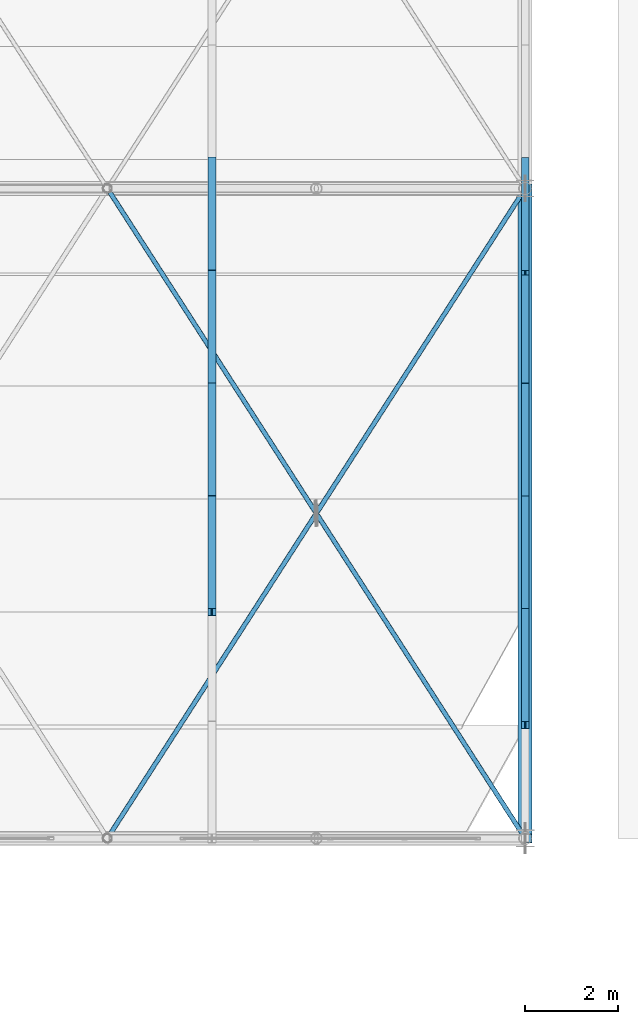
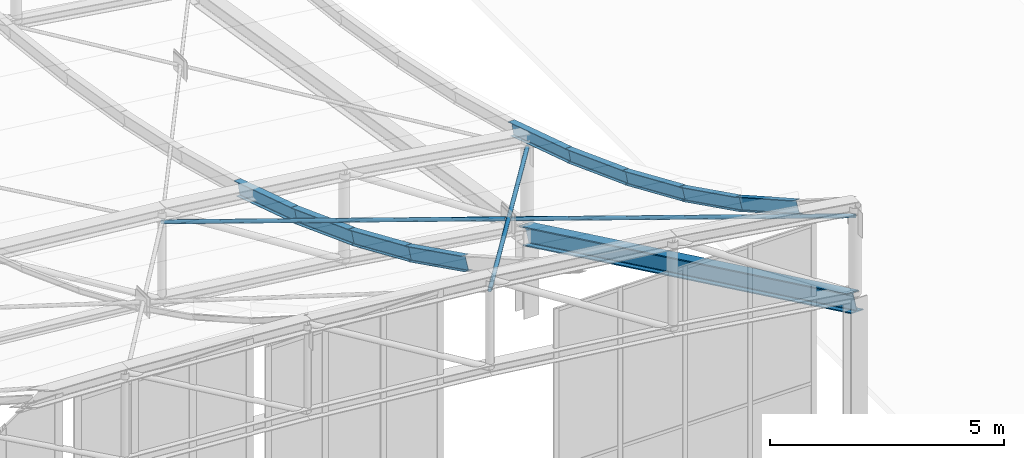
# One storey, part 153 of 262: 12 members, 1 beam.
"""IFC4 building model written with IfcOpenShell, lengths in metres."""

from ifc_helpers import new_model, si_unit, derived_unit, direction, frame, origin, origin_2d, place, context, subcontext, project, spatial, hollow_circle, i_section, extrude, material, material_profile, profile_set, type_object, element, save


model = new_model("IFC4")

# Units and contexts
model_context = context("Model", 3, precision=1e-05, world=origin(), true_north=direction((0.0, 1.0)))
body_context = subcontext(model_context, "Body", "Model", "MODEL_VIEW")
ifc_project = project(units=[si_unit("LENGTHUNIT", "METRE"), si_unit("AREAUNIT", "SQUARE_METRE"), si_unit("VOLUMEUNIT", "CUBIC_METRE"), si_unit("PLANEANGLEUNIT", "RADIAN"), si_unit("MASSUNIT", "GRAM", prefix="KILO"), derived_unit("THERMALTRANSMITTANCEUNIT", [(si_unit("POWERUNIT", "WATT"), 1), (si_unit("LENGTHUNIT", "METRE"), -2), (si_unit("THERMODYNAMICTEMPERATUREUNIT", "KELVIN"), -1)])], contexts=[model_context])

# Site, building, storey
site_placement = place(None, origin())
site = spatial("IfcSite", under=ifc_project, at=site_placement, CompositionType="ELEMENT")
building_placement = place(site_placement, origin())
building = spatial("IfcBuilding", under=site, at=building_placement, Name="Almenara Railside Exhibition Hall", CompositionType="ELEMENT")
storey_placement = place(building_placement, frame((0.0, 0.0, 21.699951171875)))
storey = spatial("IfcBuildingStorey", under=building, at=storey_placement, Name="RF", CompositionType="ELEMENT", Elevation=21.699951171875)

# Members
ifc_material = material(Name="Structural steel S355JR", Category="steel")
ifc_material_profile_1 = material_profile(ifc_material, i_section(OverallWidth=0.159912109375, OverallDepth=0.330078125, WebThickness=0.007568359375, FlangeThickness=0.011474609375, FilletRadius=0.01806640625, at=origin_2d()), Name="IPE 330")
ifc_profile_set_1 = profile_set([ifc_material_profile_1], Name="Structural steel S355JR")
member_type_1 = type_object("IfcMemberType", Name="Gable Bay Purlin IPE 330 S355JR", PredefinedType="PURLIN", material=ifc_profile_set_1)
member_1_placement = place(storey_placement, frame((192.0, 36.436767578125, 0.169189453125), z_axis=(0.0, 0.870483227181, -0.492198081261), x_axis=(-1.0, 0.0, 0.0)))
element("IfcMember", 1, at=member_1_placement, inside=storey, type_object=member_type_1, Name="MEM-PR-V2-PR-IPE330-08-01", PredefinedType="PURLIN", context=body_context, shape_type="SweptSolid", body=[
    extrude(i_section(OverallWidth=0.159912109375, OverallDepth=0.330078125, WebThickness=0.007568359375, FlangeThickness=0.011474609375, FilletRadius=0.01806640625, at=origin_2d()), origin(), (0.0, 0.0, 1.0), 2.799072265625),
])
member_2_placement = place(storey_placement, frame((192.0, 38.873291015625, -1.21435546875), z_axis=(0.0, 0.895376074457, -0.445310773831), x_axis=(-1.0, 0.0, 0.0)))
element("IfcMember", 2, at=member_2_placement, inside=storey, type_object=member_type_1, Name="MEM-PR-V2-PR-IPE330-08-02", PredefinedType="PURLIN", context=body_context, shape_type="SweptSolid", body=[
    extrude(i_section(OverallWidth=0.159912109375, OverallDepth=0.330078125, WebThickness=0.007568359375, FlangeThickness=0.011474609375, FilletRadius=0.01806640625, at=origin_2d()), origin(), (0.0, 0.0, 1.0), 2.721435546875),
])
member_3_placement = place(storey_placement, frame((192.0, 41.31005859375, -2.416748046875), z_axis=(0.0, 0.917189812532, -0.398450558775), x_axis=(-1.0, 0.0, 0.0)))
element("IfcMember", 3, at=member_3_placement, inside=storey, type_object=member_type_1, Name="MEM-PR-V2-PR-IPE330-08-03", PredefinedType="PURLIN", context=body_context, shape_type="SweptSolid", body=[
    extrude(i_section(OverallWidth=0.159912109375, OverallDepth=0.330078125, WebThickness=0.007568359375, FlangeThickness=0.011474609375, FilletRadius=0.01806640625, at=origin_2d()), origin(), (0.0, 0.0, 1.0), 2.65673828125),
])
member_4_placement = place(storey_placement, frame((192.0, 43.746826171875, -3.46728515625), z_axis=(0.0, 0.936171044044, -0.351544842508), x_axis=(-1.0, 0.0, 0.0)))
element("IfcMember", 4, at=member_4_placement, inside=storey, type_object=member_type_1, Name="MEM-PR-V2-PR-IPE330-08-04", PredefinedType="PURLIN", context=body_context, shape_type="SweptSolid", body=[
    extrude(i_section(OverallWidth=0.159912109375, OverallDepth=0.330078125, WebThickness=0.007568359375, FlangeThickness=0.011474609375, FilletRadius=0.01806640625, at=origin_2d()), origin(), (0.0, 0.0, 1.0), 2.60302734375),
])
member_5_placement = place(storey_placement, frame((192.0, 46.18359375, -4.375732421875), z_axis=(0.0, 0.952468462339, -0.304637207594), x_axis=(-1.0, 0.0, 0.0)))
element("IfcMember", 5, at=member_5_placement, inside=storey, type_object=member_type_1, Name="MEM-PR-V2-PR-IPE330-08-05", PredefinedType="PURLIN", context=body_context, shape_type="SweptSolid", body=[
    extrude(i_section(OverallWidth=0.159912109375, OverallDepth=0.330078125, WebThickness=0.007568359375, FlangeThickness=0.011474609375, FilletRadius=0.01806640625, at=origin_2d()), origin(), (0.0, 0.0, 1.0), 2.55810546875),
])
ifc_material_profile_2 = material_profile(ifc_material, i_section(OverallWidth=0.169921875, OverallDepth=0.360107421875, WebThickness=0.008056640625, FlangeThickness=0.0126953125, FilletRadius=0.01806640625, at=origin_2d()), Name="IPE 360")
ifc_profile_set_2 = profile_set([ifc_material_profile_2], Name="Structural steel S355JR")
member_type_2 = type_object("IfcMemberType", Name="Long-Span Scroll Purlin IPE 360 S355JR", PredefinedType="PURLIN", material=ifc_profile_set_2)
member_6_placement = place(storey_placement, frame((185.25, 38.873291015625, -0.403076171875), z_axis=(0.0, 0.895376074457, -0.445310773831), x_axis=(-1.0, 0.0, 0.0)))
element("IfcMember", 6, at=member_6_placement, inside=storey, type_object=member_type_2, Name="MEM-PR-V2-PR-IPE360-07-02", PredefinedType="PURLIN", context=body_context, shape_type="SweptSolid", body=[
    extrude(i_section(OverallWidth=0.169921875, OverallDepth=0.360107421875, WebThickness=0.008056640625, FlangeThickness=0.0126953125, FilletRadius=0.01806640625, at=origin_2d()), origin(), (0.0, 0.0, 1.0), 2.721435546875),
])
member_7_placement = place(storey_placement, frame((185.25, 41.31005859375, -1.60498046875), z_axis=(0.0, 0.917189812532, -0.398450558775), x_axis=(-1.0, 0.0, 0.0)))
element("IfcMember", 7, at=member_7_placement, inside=storey, type_object=member_type_2, Name="MEM-PR-V2-PR-IPE360-07-03", PredefinedType="PURLIN", context=body_context, shape_type="SweptSolid", body=[
    extrude(i_section(OverallWidth=0.169921875, OverallDepth=0.360107421875, WebThickness=0.008056640625, FlangeThickness=0.0126953125, FilletRadius=0.01806640625, at=origin_2d()), origin(), (0.0, 0.0, 1.0), 2.65673828125),
])
member_8_placement = place(storey_placement, frame((185.25, 43.746826171875, -2.6552734375), z_axis=(0.0, 0.936171044044, -0.351544842508), x_axis=(-1.0, 0.0, 0.0)))
element("IfcMember", 8, at=member_8_placement, inside=storey, type_object=member_type_2, Name="MEM-PR-V2-PR-IPE360-07-04", PredefinedType="PURLIN", context=body_context, shape_type="SweptSolid", body=[
    extrude(i_section(OverallWidth=0.169921875, OverallDepth=0.360107421875, WebThickness=0.008056640625, FlangeThickness=0.0126953125, FilletRadius=0.01806640625, at=origin_2d()), origin(), (0.0, 0.0, 1.0), 2.60302734375),
])
member_9_placement = place(storey_placement, frame((185.25, 46.18359375, -3.5634765625), z_axis=(0.0, 0.952468462339, -0.304637207594), x_axis=(-1.0, 0.0, 0.0)))
element("IfcMember", 9, at=member_9_placement, inside=storey, type_object=member_type_2, Name="MEM-PR-V2-PR-IPE360-07-05", PredefinedType="PURLIN", context=body_context, shape_type="SweptSolid", body=[
    extrude(i_section(OverallWidth=0.169921875, OverallDepth=0.360107421875, WebThickness=0.008056640625, FlangeThickness=0.0126953125, FilletRadius=0.01806640625, at=origin_2d()), origin(), (0.0, 0.0, 1.0), 2.55810546875),
])
ifc_material_profile_3 = material_profile(ifc_material, hollow_circle(Radius=0.05078125, WallThickness=0.00390625, at=origin_2d()), Name="CHS 101.6x4")
ifc_profile_set_3 = profile_set([ifc_material_profile_3], Name="Structural steel S355JR")
member_type_3 = type_object("IfcMemberType", Name="Scroll Wind Plan Brace CHS 101.6x4 S355JR", PredefinedType="BRACE", material=ifc_profile_set_3)
member_10_placement = place(storey_placement, frame((183.0, 34.0, 2.642333984375), z_axis=(0.48807681633, 0.759230603179, -0.430522836279), x_axis=(-0.841178475377, 0.540757591313, 0.0)))
element("IfcMember", 10, at=member_10_placement, inside=storey, type_object=member_type_3, Name="MEM-WB-V2-WB-CHS102-00-10-C", PredefinedType="BRACE", context=body_context, shape_type="SweptSolid", body=[
    extrude(hollow_circle(Radius=0.05078125, WallThickness=0.00390625, at=origin_2d()), origin(), (0.0, 0.0, 1.0), 18.439697265625),
])
for number, where, z_axis, x_axis, name in (
    (11, (192.0, 34.0, 1.420166015625), (-0.513497797854, 0.798771237334, -0.313503623595), (-0.841177516168, -0.540759083412, 0.0), "MEM-WB-V2-WB-CHS102-00-10-S1"),
    (12, (187.471923828125, 41.043701171875, -1.34423828125), (-0.513502310712, 0.798778257308, -0.313478344619), (-0.841177516168, -0.540759083412, 0.0), "MEM-WB-V2-WB-CHS102-00-10-S2"),
):
    element("IfcMember", number, at=place(storey_placement, frame(where, z_axis=z_axis, x_axis=x_axis)), inside=storey, type_object=member_type_3, Name=name, PredefinedType="BRACE", context=body_context, shape_type="SweptSolid", body=[
        extrude(hollow_circle(Radius=0.05078125, WallThickness=0.00390625, at=origin_2d()), origin(), (0.0, 0.0, 1.0), 8.708740234375),
    ])

# Beam
ifc_material_profile_4 = material_profile(ifc_material, i_section(OverallWidth=0.300048828125, OverallDepth=0.449951171875, WebThickness=0.013916015625, FlangeThickness=0.02587890625, FilletRadius=0.027099609375, at=origin_2d()), Name="HEB 450")
ifc_profile_set_4 = profile_set([ifc_material_profile_4], Name="Structural steel S355JR")
beam_type = type_object("IfcBeamType", Name="Steel Roof Eaves Tie Girder HEB 450 S355JR", PredefinedType="USERDEFINED", material=ifc_profile_set_4)
beam_placement = place(storey_placement, frame((192.0, 34.0, -0.824951171875), z_axis=(0.0, 0.901609647844, -0.432550624683), x_axis=(-1.0, 0.0, 0.0)))
element("IfcBeam", 13, at=beam_placement, inside=storey, type_object=beam_type, Name="Beam 0976", ObjectType="GIRDER", PredefinedType="USERDEFINED", context=body_context, shape_type="SweptSolid", body=[
    extrude(i_section(OverallWidth=0.300048828125, OverallDepth=0.449951171875, WebThickness=0.013916015625, FlangeThickness=0.02587890625, FilletRadius=0.027099609375, at=origin_2d()), origin(), (0.0, 0.0, 1.0), 15.52783203125),
])

save(model, "model.ifc")
